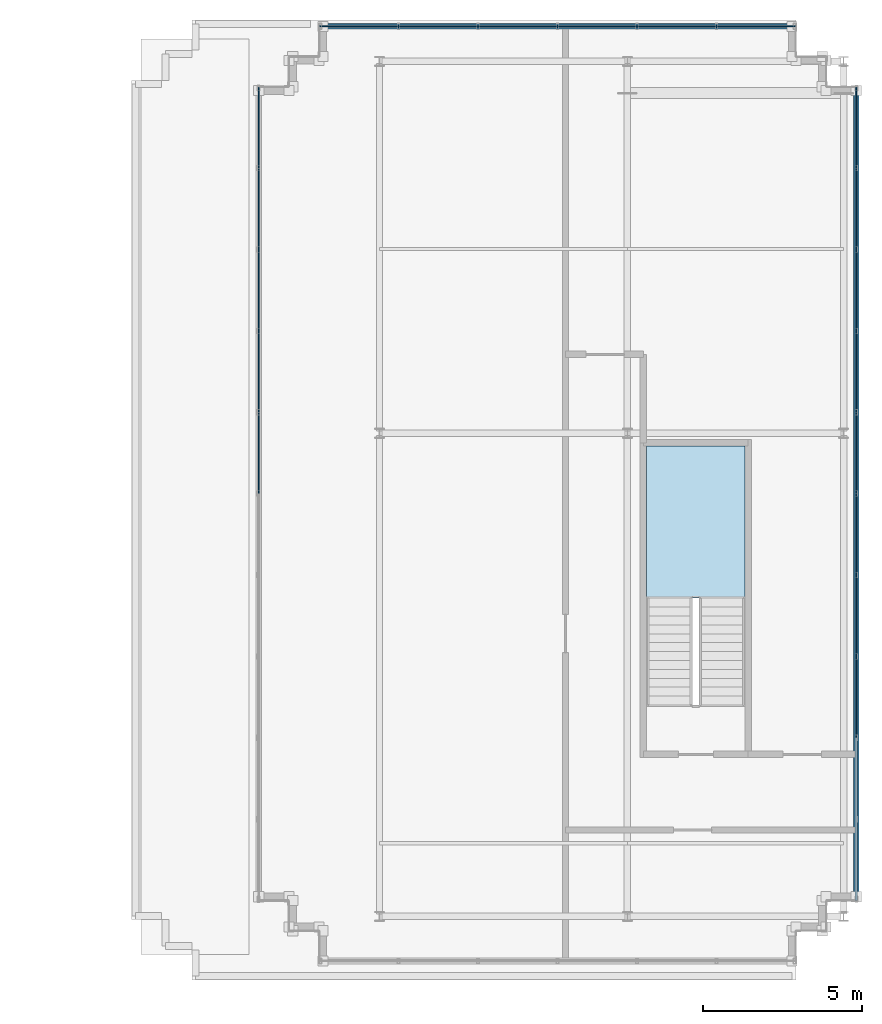
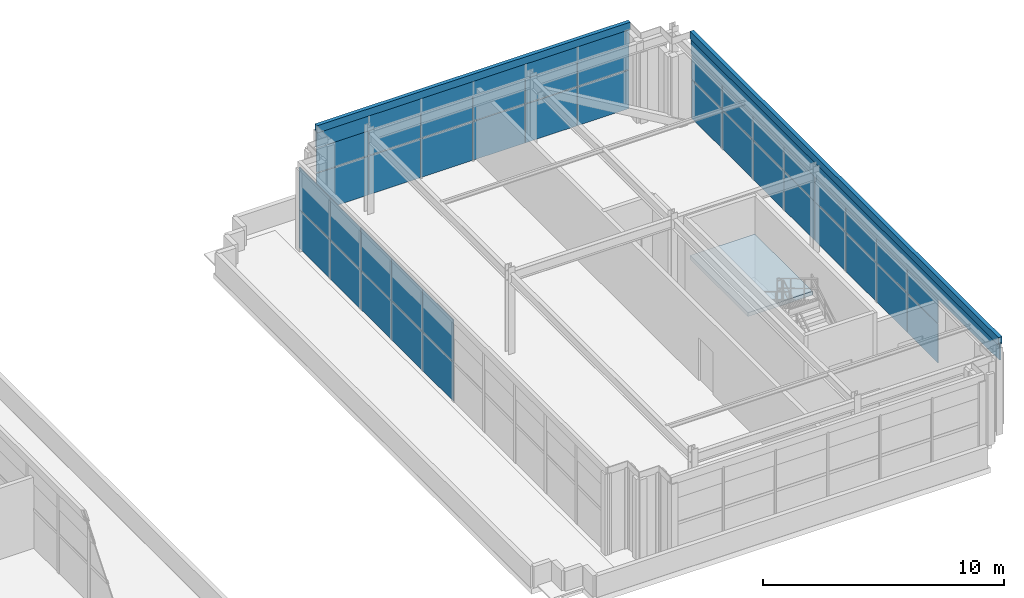
# One storey, part 22 of 28: 42 plates, 1 slab, 4 elements without a shape of their own.
"""IFC4 building model written with IfcOpenShell, lengths in metres."""

import ifcopenshell
import ifcopenshell.guid

model = None  # the IFC model being written
_history = None  # IfcOwnerHistory: only IFC2X3 demands one
_inside = {}  # id of a spatial element -> (the spatial element, [elements in it])
_under = {}  # id of a project, library or spatial element -> (it, [spatial elements below it])
_declared = {}  # id of a project -> (the project, [libraries it declares])
_typed = {}  # id of a type object -> (the type object, [elements of that type])
_made_of = {}  # id of a material, layer set ... -> (it, [elements and type objects made of it])


def new_model(schema):
    """Start an empty IFC model of exactly this schema.

    Asked for "IFC4X3", IfcOpenShell would pick the latest addendum, in which some entities
    have other attributes; the version numbers below select the first issue.
    IFC2X3 requires an IfcOwnerHistory on every rooted entity: one is made here for all.
    """
    global model, _history
    if schema == "IFC4X3":
        model = ifcopenshell.file(schema_version=(4, 3, 0, 0))
    else:
        model = ifcopenshell.file(schema=schema)
    _inside.clear()
    _under.clear()
    _declared.clear()
    _typed.clear()
    _made_of.clear()
    _history = None
    if model.schema == "IFC2X3":
        org = make("IfcOrganization", Name="unknown")
        user = make(
            "IfcPersonAndOrganization",
            ThePerson=make("IfcPerson", FamilyName="unknown"),
            TheOrganization=org,
        )
        app = make(
            "IfcApplication",
            ApplicationDeveloper=org,
            Version="unknown",
            ApplicationFullName="unknown",
            ApplicationIdentifier="unknown",
        )
        _history = make(
            "IfcOwnerHistory",
            OwningUser=user,
            OwningApplication=app,
            ChangeAction="ADDED",
            CreationDate=0,
        )
    return model


def make(cls, **values):
    """One entity of the class cls with the attributes given. An attribute that is None is left unset."""
    return model.create_entity(
        cls, **{name: value for name, value in values.items() if value is not None}
    )


def rooted(cls, **values):
    """An entity with a GlobalId (a new one), such as an element, a storey or a relation."""
    return make(cls, GlobalId=ifcopenshell.guid.new(), OwnerHistory=_history, **values)


def si_unit(unit_type, name, prefix=None):
    """IfcSIUnit, for example si_unit("LENGTHUNIT", "METRE", prefix="MILLI")."""
    return make("IfcSIUnit", UnitType=unit_type, Prefix=prefix, Name=name)


def assignment(units):
    """IfcUnitAssignment: the units of a project."""
    return None if units is None else make("IfcUnitAssignment", Units=units)


def point(xyz):
    """IfcCartesianPoint."""
    return None if xyz is None else make("IfcCartesianPoint", Coordinates=xyz)


def direction(xyz):
    """IfcDirection."""
    return None if xyz is None else make("IfcDirection", DirectionRatios=xyz)


def frame(location, z_axis=None, x_axis=None):
    """IfcAxis2Placement3D, a coordinate frame: its origin and axes. An axis left out is left unset."""
    return make(
        "IfcAxis2Placement3D",
        Location=point(location),
        Axis=direction(z_axis),
        RefDirection=direction(x_axis),
    )


def frame_2d(location, x_axis=None):
    """IfcAxis2Placement2D, a coordinate frame in the plane: its origin and x axis."""
    return make(
        "IfcAxis2Placement2D", Location=point(location), RefDirection=direction(x_axis)
    )


def origin():
    """The frame at (0, 0, 0) with its axes left unset."""
    return frame((0.0, 0.0, 0.0))


def origin_2d():
    """The frame at (0, 0) in the plane with its x axis left unset."""
    return frame_2d((0.0, 0.0))


def place(relative_to, where):
    """IfcLocalPlacement: puts the frame where relative to a parent placement (None: the world)."""
    return make(
        "IfcLocalPlacement", PlacementRelTo=relative_to, RelativePlacement=where
    )


def context(
    kind, dimensions, precision=None, world=None, true_north=None, identifier=None
):
    """IfcGeometricRepresentationContext, for example the 3D "Model" context."""
    return make(
        "IfcGeometricRepresentationContext",
        ContextIdentifier=identifier,
        ContextType=kind,
        CoordinateSpaceDimension=dimensions,
        Precision=precision,
        WorldCoordinateSystem=world,
        TrueNorth=true_north,
    )


def subcontext(parent, identifier, kind, view, scale=None):
    """IfcGeometricRepresentationSubContext, for example "Body" below "Model"."""
    return make(
        "IfcGeometricRepresentationSubContext",
        ContextIdentifier=identifier,
        ContextType=kind,
        ParentContext=parent,
        TargetScale=scale,
        TargetView=view,
    )


def project(units=None, contexts=None):
    """IfcProject with its units and contexts."""
    return rooted(
        "IfcProject",
        Name="project",
        RepresentationContexts=contexts,
        UnitsInContext=assignment(units),
    )


def spatial(cls, under=None, at=None, **own):
    """A site, building, storey or space (cls), placed at a placement, below another one or the project."""
    s = rooted(cls, ObjectPlacement=at, **own)
    if under is not None:
        _under.setdefault(under.id(), (under, []))[1].append(s)
    return s


def polyline(points):
    """IfcPolyline through the points."""
    return make("IfcPolyline", Points=[point(p) for p in points])


def profile(cls, at=None, kind="AREA", **sizes):
    """A parametric profile (cls). Its sizes go by their IFC names, for example OverallWidth=200.0."""
    return make(cls, ProfileType=kind, Position=at, **sizes)


def rectangle(**sizes):
    """IfcRectangleProfileDef."""
    return profile("IfcRectangleProfileDef", **sizes)


def outline(outer, holes=None, kind="AREA"):
    """IfcArbitraryClosedProfileDef: a profile drawn as a closed curve; with holes, ...WithVoids."""
    if holes is None:
        return make("IfcArbitraryClosedProfileDef", ProfileType=kind, OuterCurve=outer)
    return make(
        "IfcArbitraryProfileDefWithVoids",
        ProfileType=kind,
        OuterCurve=outer,
        InnerCurves=holes,
    )


def extrude(swept, where, along, depth):
    """IfcExtrudedAreaSolid: the profile swept, set in the frame where, extruded along a direction by depth."""
    return make(
        "IfcExtrudedAreaSolid",
        SweptArea=swept,
        Position=where,
        ExtrudedDirection=direction(along),
        Depth=depth,
    )


def shape(context_of_items, identifier, shape_type, items):
    """IfcShapeRepresentation: the items that make up one representation, for example the "Body"."""
    return make(
        "IfcShapeRepresentation",
        ContextOfItems=context_of_items,
        RepresentationIdentifier=identifier,
        RepresentationType=shape_type,
        Items=items,
    )


def source(mapping_origin, context_of_items, identifier, shape_type, items):
    """IfcRepresentationMap: a shape defined once, which mapped items show again and again."""
    return make(
        "IfcRepresentationMap",
        MappingOrigin=mapping_origin,
        MappedRepresentation=shape(context_of_items, identifier, shape_type, items),
    )


def transform(
    local_origin,
    x_axis=None,
    y_axis=None,
    z_axis=None,
    scale=None,
    scale2=None,
    scale3=None,
    uniform=True,
):
    """IfcCartesianTransformationOperator3D, or its non-uniform kind. x_axis, y_axis, z_axis: its Axis1, 2, 3."""
    if uniform:
        return make(
            "IfcCartesianTransformationOperator3D",
            Axis1=direction(x_axis),
            Axis2=direction(y_axis),
            LocalOrigin=point(local_origin),
            Scale=scale,
            Axis3=direction(z_axis),
        )
    return make(
        "IfcCartesianTransformationOperator3DnonUniform",
        Axis1=direction(x_axis),
        Axis2=direction(y_axis),
        LocalOrigin=point(local_origin),
        Scale=scale,
        Axis3=direction(z_axis),
        Scale2=scale2,
        Scale3=scale3,
    )


def mapped(mapping_source, mapping_target):
    """IfcMappedItem: shows the shape of a source again, moved by a transform."""
    return make(
        "IfcMappedItem", MappingSource=mapping_source, MappingTarget=mapping_target
    )


def material(Name=None, Category=None):
    """IfcMaterial."""
    return make("IfcMaterial", Name=Name, Category=Category)


def layer(
    of_material, thickness, ventilated=None, Name=None, Category=None, Priority=None
):
    """IfcMaterialLayer: one layer of a wall or slab, of a material (None: an air gap)."""
    return make(
        "IfcMaterialLayer",
        Material=of_material,
        LayerThickness=thickness,
        IsVentilated=ventilated,
        Name=Name,
        Category=Category,
        Priority=Priority,
    )


def layer_set(layers, Name=None):
    """IfcMaterialLayerSet."""
    return make("IfcMaterialLayerSet", MaterialLayers=layers, LayerSetName=Name)


def made_of(thing, what):
    """Note that an element or type object is made of a material, layer set ...; save() writes the relation."""
    if what is not None:
        _made_of.setdefault(what.id(), (what, []))[1].append(thing)
    return thing


def type_object(cls, material=None, **own):
    """A type object (cls), such as IfcWallType, which elements share."""
    return made_of(rooted(cls, **own), material)


def element(
    cls,
    number,
    at=None,
    inside=None,
    cuts=None,
    type_object=None,
    material=None,
    context=None,
    identifier="Body",
    shape_type=None,
    held_by="IfcProductDefinitionShape",
    body=None,
    shapes=None,
    **own,
):
    """One element of the class cls, such as IfcWall. Its Tag is "e" and its number.

    at: its placement. inside: the storey or other place that contains it. cuts: it is an
    opening in that element (IfcRelVoidsElement). A single representation is given by context,
    identifier, shape_type and body (its items); several are given by shapes. held_by: the class
    of the entity that holds the representations. save() writes the other relations.
    """
    e = rooted(cls, Tag="e%d" % number, ObjectPlacement=at, **own)
    if body is not None:
        shapes = [shape(context, identifier, shape_type, body)]
    if shapes is not None:
        e.Representation = make(held_by, Representations=shapes)
    if inside is not None:
        _inside.setdefault(inside.id(), (inside, []))[1].append(e)
    if cuts is not None:
        rooted(
            "IfcRelVoidsElement", RelatingBuildingElement=cuts, RelatedOpeningElement=e
        )
    if type_object is not None:
        _typed.setdefault(type_object.id(), (type_object, []))[1].append(e)
    return made_of(e, material)


def aggregate(whole, parts):
    """IfcRelAggregates: a whole, such as a stair, and the parts it consists of."""
    return rooted("IfcRelAggregates", RelatingObject=whole, RelatedObjects=parts)


def save(model, path):
    """Write the relations noted so far, then the file.

    IfcRelAggregates (storeys below a building ...), IfcRelContainedInSpatialStructure (elements
    in a storey), IfcRelDefinesByType, IfcRelAssociatesMaterial and IfcRelDeclares: one each for
    every whole, place, type object, material and project.
    """
    for whole, parts in _under.values():
        aggregate(whole, parts)
    for where, things in _inside.values():
        rooted(
            "IfcRelContainedInSpatialStructure",
            RelatedElements=things,
            RelatingStructure=where,
        )
    for kind, things in _typed.values():
        rooted("IfcRelDefinesByType", RelatedObjects=things, RelatingType=kind)
    for what, things in _made_of.values():
        rooted("IfcRelAssociatesMaterial", RelatedObjects=things, RelatingMaterial=what)
    for by, libraries in _declared.values():
        rooted("IfcRelDeclares", RelatingContext=by, RelatedDefinitions=libraries)
    model.write(path)


model = new_model("IFC4")

# Units and contexts
model_context = context("Model", 3, precision=1e-05, world=origin(), true_north=direction((0.0, 1.0)))
body_context = subcontext(model_context, "Body", "Model", "MODEL_VIEW")
ifc_project = project(units=[si_unit("LENGTHUNIT", "METRE"), si_unit("AREAUNIT", "SQUARE_METRE"), si_unit("VOLUMEUNIT", "CUBIC_METRE"), si_unit("PLANEANGLEUNIT", "RADIAN"), si_unit("MASSUNIT", "GRAM", prefix="KILO")], contexts=[model_context])

# Site, building, storey
site_placement = place(None, origin())
site = spatial("IfcSite", under=ifc_project, at=site_placement, CompositionType="ELEMENT")
building_placement = place(site_placement, origin())
building = spatial("IfcBuilding", under=site, at=building_placement, Name="Trelvane Seafront Commons", CompositionType="ELEMENT")
storey_placement = place(building_placement, frame((0.0, 0.0, 312.300048828125)))
storey = spatial("IfcBuildingStorey", under=building, at=storey_placement, Name="L81", CompositionType="ELEMENT", Elevation=312.300048828125)

# Stair, slab
ifc_material_1 = material(Name="Concrete C40/50", Category="concrete")
stair_type = type_object("IfcStairType", Name="ARCH-STR-ST-6-R26-169", PredefinedType="HALF_TURN_STAIR", material=ifc_material_1)
stair_placement = place(storey_placement, origin())
stair = element("IfcStair", 1, at=stair_placement, inside=storey, type_object=stair_type, Name="L81 Crown East Peak Enclosed Maintenance Exit Stair ST-6", PredefinedType="HALF_TURN_STAIR")
ifc_layer_1 = layer(ifc_material_1, 0.199951171875, Name="ARCH-LND-200")
ifc_layer_set_1 = layer_set([ifc_layer_1], Name="Concrete C40/50")
slab_type = type_object("IfcSlabType", Name="ARCH-LND-200", PredefinedType="LANDING", material=ifc_layer_set_1)
slab_placement = place(storey_placement, frame((0.0, 0.0, 2.0)))
slab = element("IfcSlab", 2, at=slab_placement, type_object=slab_type, Name="ST-6 landing 1", PredefinedType="LANDING", context=body_context, shape_type="SweptSolid", body=[
    extrude(outline(polyline([(62.5, 28.2099609375), (62.5, 33.0), (59.39990234375, 33.0), (59.39990234375, 28.2099609375), (62.5, 28.2099609375)])), origin(), (0.0, 0.0, 1.0), 0.199951171875),
])
aggregate(stair, [slab])

# Curtain wall, plates
ifc_material_2 = material(Name="Anodised pale-silver aluminium", Category="aluminium")
curtain_wall_type = type_object("IfcCurtainWallType", Name="ARCH-CW6-CROWN", PredefinedType="NOTDEFINED", material=ifc_material_2)
curtain_wall_1_placement = place(storey_placement, origin())
curtain_wall_1 = element("IfcCurtainWall", 3, at=curtain_wall_1_placement, inside=storey, type_object=curtain_wall_type, Name="CW-L81-0148", PredefinedType="NOTDEFINED")
ifc_material_3 = material(Name="Low-E coastal double glazing", Category="glass")
ifc_layer_2 = layer(ifc_material_3, 0.033935546875, Name="ARCH-CW-GLAZ-34")
ifc_layer_set_2 = layer_set([ifc_layer_2], Name="Low-E coastal double glazing")
plate_type_1 = type_object("IfcPlateType", Name="ARCH-CW-GLAZ-34", PredefinedType="CURTAIN_PANEL", material=ifc_layer_set_2)
shared_shape_1 = source(origin(), body_context, "Body", "SweptSolid", [
    extrude(rectangle(XDim=2.535888671875, YDim=0.031982421875, at=origin_2d()), origin(), (0.0, 0.0, 1.0), 1.955078125),
])
plate_1_placement = place(storey_placement, frame((47.199951171875, 32.780029296875, 0.0), z_axis=(0.0, 0.0, 1.0), x_axis=(0.0, 1.0, 0.0)))
plate_1 = element("IfcPlate", 4, at=plate_1_placement, type_object=plate_type_1, Name="CW-L81-0148-P05-1", PredefinedType="CURTAIN_PANEL", context=body_context, shape_type="MappedRepresentation", body=[
    mapped(shared_shape_1, transform((0.0, 0.0, 0.0), x_axis=(1.0, 0.0, 0.0), y_axis=(0.0, 1.0, 0.0), z_axis=(0.0, 0.0, 1.0), scale=1.0)),
])
plate_2_placement = place(storey_placement, frame((47.199951171875, 35.340087890625, 0.0), z_axis=(0.0, 0.0, 1.0), x_axis=(0.0, 1.0, 0.0)))
plate_2 = element("IfcPlate", 5, at=plate_2_placement, type_object=plate_type_1, Name="CW-L81-0148-P06-1", PredefinedType="CURTAIN_PANEL", context=body_context, shape_type="MappedRepresentation", body=[
    mapped(shared_shape_1, transform((0.0, 0.0, 0.0), x_axis=(1.0, 0.0, 0.0), y_axis=(0.0, 1.0, 0.0), z_axis=(0.0, 0.0, 1.0), scale=1.0)),
])
plate_3_placement = place(storey_placement, frame((47.199951171875, 37.89990234375, 0.0), z_axis=(0.0, 0.0, 1.0), x_axis=(0.0, 1.0, 0.0)))
plate_3 = element("IfcPlate", 6, at=plate_3_placement, type_object=plate_type_1, Name="CW-L81-0148-P07-1", PredefinedType="CURTAIN_PANEL", context=body_context, shape_type="MappedRepresentation", body=[
    mapped(shared_shape_1, transform((0.0, 0.0, 0.0), x_axis=(1.0, 0.0, 0.0), y_axis=(0.0, 1.0, 0.0), z_axis=(0.0, 0.0, 1.0), scale=1.0)),
])
plate_4_placement = place(storey_placement, frame((47.199951171875, 40.4599609375, 0.0), z_axis=(0.0, 0.0, 1.0), x_axis=(0.0, 1.0, 0.0)))
plate_4 = element("IfcPlate", 7, at=plate_4_placement, type_object=plate_type_1, Name="CW-L81-0148-P08-1", PredefinedType="CURTAIN_PANEL", context=body_context, shape_type="MappedRepresentation", body=[
    mapped(shared_shape_1, transform((0.0, 0.0, 0.0), x_axis=(1.0, 0.0, 0.0), y_axis=(0.0, 1.0, 0.0), z_axis=(0.0, 0.0, 1.0), scale=1.0)),
])
plate_5_placement = place(storey_placement, frame((47.199951171875, 43.02001953125, 0.0), z_axis=(0.0, 0.0, 1.0), x_axis=(0.0, 1.0, 0.0)))
plate_5 = element("IfcPlate", 8, at=plate_5_placement, type_object=plate_type_1, Name="CW-L81-0148-P09-1", PredefinedType="CURTAIN_PANEL", context=body_context, shape_type="MappedRepresentation", body=[
    mapped(shared_shape_1, transform((0.0, 0.0, 0.0), x_axis=(1.0, 0.0, 0.0), y_axis=(0.0, 1.0, 0.0), z_axis=(0.0, 0.0, 1.0), scale=1.0)),
])

curtain_wall_2_placement = place(storey_placement, origin())
curtain_wall_2 = element("IfcCurtainWall", 9, at=curtain_wall_2_placement, inside=storey, type_object=curtain_wall_type, Name="CW-L81-0150", PredefinedType="NOTDEFINED")
plate_6_placement = place(storey_placement, frame((66.0, 43.02001953125, 0.0), z_axis=(0.0, 0.0, 1.0), x_axis=(0.0, -1.0, 0.0)))
plate_6 = element("IfcPlate", 10, at=plate_6_placement, type_object=plate_type_1, Name="CW-L81-0150-P00-1", PredefinedType="CURTAIN_PANEL", context=body_context, shape_type="MappedRepresentation", body=[
    mapped(shared_shape_1, transform((0.0, 0.0, 0.0), x_axis=(1.0, 0.0, 0.0), y_axis=(0.0, 1.0, 0.0), z_axis=(0.0, 0.0, 1.0), scale=1.0)),
])
plate_7_placement = place(storey_placement, frame((66.0, 40.4599609375, 0.0), z_axis=(0.0, 0.0, 1.0), x_axis=(0.0, -1.0, 0.0)))
plate_7 = element("IfcPlate", 11, at=plate_7_placement, type_object=plate_type_1, Name="CW-L81-0150-P01-1", PredefinedType="CURTAIN_PANEL", context=body_context, shape_type="MappedRepresentation", body=[
    mapped(shared_shape_1, transform((0.0, 0.0, 0.0), x_axis=(1.0, 0.0, 0.0), y_axis=(0.0, 1.0, 0.0), z_axis=(0.0, 0.0, 1.0), scale=1.0)),
])
plate_8_placement = place(storey_placement, frame((66.0, 37.89990234375, 0.0), z_axis=(0.0, 0.0, 1.0), x_axis=(0.0, -1.0, 0.0)))
plate_8 = element("IfcPlate", 12, at=plate_8_placement, type_object=plate_type_1, Name="CW-L81-0150-P02-1", PredefinedType="CURTAIN_PANEL", context=body_context, shape_type="MappedRepresentation", body=[
    mapped(shared_shape_1, transform((0.0, 0.0, 0.0), x_axis=(1.0, 0.0, 0.0), y_axis=(0.0, 1.0, 0.0), z_axis=(0.0, 0.0, 1.0), scale=1.0)),
])
plate_9_placement = place(storey_placement, frame((66.0, 35.340087890625, 0.0), z_axis=(0.0, 0.0, 1.0), x_axis=(0.0, -1.0, 0.0)))
plate_9 = element("IfcPlate", 13, at=plate_9_placement, type_object=plate_type_1, Name="CW-L81-0150-P03-1", PredefinedType="CURTAIN_PANEL", context=body_context, shape_type="MappedRepresentation", body=[
    mapped(shared_shape_1, transform((0.0, 0.0, 0.0), x_axis=(1.0, 0.0, 0.0), y_axis=(0.0, 1.0, 0.0), z_axis=(0.0, 0.0, 1.0), scale=1.0)),
])
plate_10_placement = place(storey_placement, frame((66.0, 32.780029296875, 0.0), z_axis=(0.0, 0.0, 1.0), x_axis=(0.0, -1.0, 0.0)))
plate_10 = element("IfcPlate", 14, at=plate_10_placement, type_object=plate_type_1, Name="CW-L81-0150-P04-1", PredefinedType="CURTAIN_PANEL", context=body_context, shape_type="MappedRepresentation", body=[
    mapped(shared_shape_1, transform((0.0, 0.0, 0.0), x_axis=(1.0, 0.0, 0.0), y_axis=(0.0, 1.0, 0.0), z_axis=(0.0, 0.0, 1.0), scale=1.0)),
])
plate_11_placement = place(storey_placement, frame((66.0, 30.219970703125, 0.0), z_axis=(0.0, 0.0, 1.0), x_axis=(0.0, -1.0, 0.0)))
plate_11 = element("IfcPlate", 15, at=plate_11_placement, type_object=plate_type_1, Name="CW-L81-0150-P05-1", PredefinedType="CURTAIN_PANEL", context=body_context, shape_type="MappedRepresentation", body=[
    mapped(shared_shape_1, transform((0.0, 0.0, 0.0), x_axis=(1.0, 0.0, 0.0), y_axis=(0.0, 1.0, 0.0), z_axis=(0.0, 0.0, 1.0), scale=1.0)),
])
plate_12_placement = place(storey_placement, frame((66.0, 27.659912109375, 0.0), z_axis=(0.0, 0.0, 1.0), x_axis=(0.0, -1.0, 0.0)))
plate_12 = element("IfcPlate", 16, at=plate_12_placement, type_object=plate_type_1, Name="CW-L81-0150-P06-1", PredefinedType="CURTAIN_PANEL", context=body_context, shape_type="MappedRepresentation", body=[
    mapped(shared_shape_1, transform((0.0, 0.0, 0.0), x_axis=(1.0, 0.0, 0.0), y_axis=(0.0, 1.0, 0.0), z_axis=(0.0, 0.0, 1.0), scale=1.0)),
])
plate_13_placement = place(storey_placement, frame((66.0, 25.10009765625, 0.0), z_axis=(0.0, 0.0, 1.0), x_axis=(0.0, -1.0, 0.0)))
plate_13 = element("IfcPlate", 17, at=plate_13_placement, type_object=plate_type_1, Name="CW-L81-0150-P07-1", PredefinedType="CURTAIN_PANEL", context=body_context, shape_type="MappedRepresentation", body=[
    mapped(shared_shape_1, transform((0.0, 0.0, 0.0), x_axis=(1.0, 0.0, 0.0), y_axis=(0.0, 1.0, 0.0), z_axis=(0.0, 0.0, 1.0), scale=1.0)),
])

# Plate
shared_shape_2 = source(origin(), body_context, "Body", "SweptSolid", [
    extrude(rectangle(XDim=2.535888671875, YDim=0.031982421875, at=origin_2d()), origin(), (0.0, 0.0, 1.0), 2.118896484375),
])
plate_14_placement = place(storey_placement, frame((47.199951171875, 32.780029296875, 1.9912109375), z_axis=(0.0, 0.0, 1.0), x_axis=(0.0, 1.0, 0.0)))
plate_14 = element("IfcPlate", 18, at=plate_14_placement, type_object=plate_type_1, Name="CW-L81-0148-P05-2", PredefinedType="CURTAIN_PANEL", context=body_context, shape_type="MappedRepresentation", body=[
    mapped(shared_shape_2, transform((0.0, 0.0, 0.0), x_axis=(1.0, 0.0, 0.0), y_axis=(0.0, 1.0, 0.0), z_axis=(0.0, 0.0, 1.0), scale=1.0)),
])

plate_15_placement = place(storey_placement, frame((47.199951171875, 35.340087890625, 1.9912109375), z_axis=(0.0, 0.0, 1.0), x_axis=(0.0, 1.0, 0.0)))
plate_15 = element("IfcPlate", 19, at=plate_15_placement, type_object=plate_type_1, Name="CW-L81-0148-P06-2", PredefinedType="CURTAIN_PANEL", context=body_context, shape_type="MappedRepresentation", body=[
    mapped(shared_shape_2, transform((0.0, 0.0, 0.0), x_axis=(1.0, 0.0, 0.0), y_axis=(0.0, 1.0, 0.0), z_axis=(0.0, 0.0, 1.0), scale=1.0)),
])

plate_16_placement = place(storey_placement, frame((47.199951171875, 37.89990234375, 1.9912109375), z_axis=(0.0, 0.0, 1.0), x_axis=(0.0, 1.0, 0.0)))
plate_16 = element("IfcPlate", 20, at=plate_16_placement, type_object=plate_type_1, Name="CW-L81-0148-P07-2", PredefinedType="CURTAIN_PANEL", context=body_context, shape_type="MappedRepresentation", body=[
    mapped(shared_shape_2, transform((0.0, 0.0, 0.0), x_axis=(1.0, 0.0, 0.0), y_axis=(0.0, 1.0, 0.0), z_axis=(0.0, 0.0, 1.0), scale=1.0)),
])

plate_17_placement = place(storey_placement, frame((47.199951171875, 40.4599609375, 1.9912109375), z_axis=(0.0, 0.0, 1.0), x_axis=(0.0, 1.0, 0.0)))
plate_17 = element("IfcPlate", 21, at=plate_17_placement, type_object=plate_type_1, Name="CW-L81-0148-P08-2", PredefinedType="CURTAIN_PANEL", context=body_context, shape_type="MappedRepresentation", body=[
    mapped(shared_shape_2, transform((0.0, 0.0, 0.0), x_axis=(1.0, 0.0, 0.0), y_axis=(0.0, 1.0, 0.0), z_axis=(0.0, 0.0, 1.0), scale=1.0)),
])

plate_18_placement = place(storey_placement, frame((47.199951171875, 43.02001953125, 1.9912109375), z_axis=(0.0, 0.0, 1.0), x_axis=(0.0, 1.0, 0.0)))
plate_18 = element("IfcPlate", 22, at=plate_18_placement, type_object=plate_type_1, Name="CW-L81-0148-P09-2", PredefinedType="CURTAIN_PANEL", context=body_context, shape_type="MappedRepresentation", body=[
    mapped(shared_shape_2, transform((0.0, 0.0, 0.0), x_axis=(1.0, 0.0, 0.0), y_axis=(0.0, 1.0, 0.0), z_axis=(0.0, 0.0, 1.0), scale=1.0)),
])

aggregate(curtain_wall_1, [plate_1, plate_14, plate_2, plate_15, plate_3, plate_16, plate_4, plate_17, plate_5, plate_18])

plate_19_placement = place(storey_placement, frame((66.0, 43.02001953125, 1.9912109375), z_axis=(0.0, 0.0, 1.0), x_axis=(0.0, -1.0, 0.0)))
plate_19 = element("IfcPlate", 23, at=plate_19_placement, type_object=plate_type_1, Name="CW-L81-0150-P00-2", PredefinedType="CURTAIN_PANEL", context=body_context, shape_type="MappedRepresentation", body=[
    mapped(shared_shape_2, transform((0.0, 0.0, 0.0), x_axis=(1.0, 0.0, 0.0), y_axis=(0.0, 1.0, 0.0), z_axis=(0.0, 0.0, 1.0), scale=1.0)),
])

plate_20_placement = place(storey_placement, frame((66.0, 40.4599609375, 1.9912109375), z_axis=(0.0, 0.0, 1.0), x_axis=(0.0, -1.0, 0.0)))
plate_20 = element("IfcPlate", 24, at=plate_20_placement, type_object=plate_type_1, Name="CW-L81-0150-P01-2", PredefinedType="CURTAIN_PANEL", context=body_context, shape_type="MappedRepresentation", body=[
    mapped(shared_shape_2, transform((0.0, 0.0, 0.0), x_axis=(1.0, 0.0, 0.0), y_axis=(0.0, 1.0, 0.0), z_axis=(0.0, 0.0, 1.0), scale=1.0)),
])

plate_21_placement = place(storey_placement, frame((66.0, 37.89990234375, 1.9912109375), z_axis=(0.0, 0.0, 1.0), x_axis=(0.0, -1.0, 0.0)))
plate_21 = element("IfcPlate", 25, at=plate_21_placement, type_object=plate_type_1, Name="CW-L81-0150-P02-2", PredefinedType="CURTAIN_PANEL", context=body_context, shape_type="MappedRepresentation", body=[
    mapped(shared_shape_2, transform((0.0, 0.0, 0.0), x_axis=(1.0, 0.0, 0.0), y_axis=(0.0, 1.0, 0.0), z_axis=(0.0, 0.0, 1.0), scale=1.0)),
])

plate_22_placement = place(storey_placement, frame((66.0, 35.340087890625, 1.9912109375), z_axis=(0.0, 0.0, 1.0), x_axis=(0.0, -1.0, 0.0)))
plate_22 = element("IfcPlate", 26, at=plate_22_placement, type_object=plate_type_1, Name="CW-L81-0150-P03-2", PredefinedType="CURTAIN_PANEL", context=body_context, shape_type="MappedRepresentation", body=[
    mapped(shared_shape_2, transform((0.0, 0.0, 0.0), x_axis=(1.0, 0.0, 0.0), y_axis=(0.0, 1.0, 0.0), z_axis=(0.0, 0.0, 1.0), scale=1.0)),
])

plate_23_placement = place(storey_placement, frame((66.0, 32.780029296875, 1.9912109375), z_axis=(0.0, 0.0, 1.0), x_axis=(0.0, -1.0, 0.0)))
plate_23 = element("IfcPlate", 27, at=plate_23_placement, type_object=plate_type_1, Name="CW-L81-0150-P04-2", PredefinedType="CURTAIN_PANEL", context=body_context, shape_type="MappedRepresentation", body=[
    mapped(shared_shape_2, transform((0.0, 0.0, 0.0), x_axis=(1.0, 0.0, 0.0), y_axis=(0.0, 1.0, 0.0), z_axis=(0.0, 0.0, 1.0), scale=1.0)),
])

plate_24_placement = place(storey_placement, frame((66.0, 30.219970703125, 1.9912109375), z_axis=(0.0, 0.0, 1.0), x_axis=(0.0, -1.0, 0.0)))
plate_24 = element("IfcPlate", 28, at=plate_24_placement, type_object=plate_type_1, Name="CW-L81-0150-P05-2", PredefinedType="CURTAIN_PANEL", context=body_context, shape_type="MappedRepresentation", body=[
    mapped(shared_shape_2, transform((0.0, 0.0, 0.0), x_axis=(1.0, 0.0, 0.0), y_axis=(0.0, 1.0, 0.0), z_axis=(0.0, 0.0, 1.0), scale=1.0)),
])

plate_25_placement = place(storey_placement, frame((66.0, 27.659912109375, 1.9912109375), z_axis=(0.0, 0.0, 1.0), x_axis=(0.0, -1.0, 0.0)))
plate_25 = element("IfcPlate", 29, at=plate_25_placement, type_object=plate_type_1, Name="CW-L81-0150-P06-2", PredefinedType="CURTAIN_PANEL", context=body_context, shape_type="MappedRepresentation", body=[
    mapped(shared_shape_2, transform((0.0, 0.0, 0.0), x_axis=(1.0, 0.0, 0.0), y_axis=(0.0, 1.0, 0.0), z_axis=(0.0, 0.0, 1.0), scale=1.0)),
])

plate_26_placement = place(storey_placement, frame((66.0, 25.10009765625, 1.9912109375), z_axis=(0.0, 0.0, 1.0), x_axis=(0.0, -1.0, 0.0)))
plate_26 = element("IfcPlate", 30, at=plate_26_placement, type_object=plate_type_1, Name="CW-L81-0150-P07-2", PredefinedType="CURTAIN_PANEL", context=body_context, shape_type="MappedRepresentation", body=[
    mapped(shared_shape_2, transform((0.0, 0.0, 0.0), x_axis=(1.0, 0.0, 0.0), y_axis=(0.0, 1.0, 0.0), z_axis=(0.0, 0.0, 1.0), scale=1.0)),
])

aggregate(curtain_wall_2, [plate_6, plate_19, plate_7, plate_20, plate_8, plate_21, plate_9, plate_22, plate_10, plate_23, plate_11, plate_24, plate_12, plate_25, plate_13, plate_26])

# Plates
ifc_layer_3 = layer(ifc_material_2, 0.080078125, Name="ARCH-PLATE-LOUVRE")
ifc_layer_set_3 = layer_set([ifc_layer_3], Name="Anodised pale-silver aluminium")
plate_type_2 = type_object("IfcPlateType", Name="ARCH-PLATE-LOUVRE", PredefinedType="USERDEFINED", material=ifc_layer_set_3)
shared_shape_3 = source(origin(), body_context, "Body", "SweptSolid", [
    extrude(rectangle(XDim=25.60009765625, YDim=0.080078125, at=origin_2d()), origin(), (0.0, 0.0, 1.0), 0.889892578125),
])
plate_27_placement = place(storey_placement, frame((66.0, 31.5, 3.259765625), z_axis=(0.0, 0.0, 1.0), x_axis=(0.0, -1.0, 0.0)))
element("IfcPlate", 31, at=plate_27_placement, inside=storey, type_object=plate_type_2, Name="LOU-L81-039", ObjectType="LOUVRE", PredefinedType="USERDEFINED", context=body_context, shape_type="MappedRepresentation", body=[
    mapped(shared_shape_3, transform((0.0, 0.0, 0.0), x_axis=(1.0, 0.0, 0.0), y_axis=(0.0, 1.0, 0.0), z_axis=(0.0, 0.0, 1.0), scale=1.0)),
])
ifc_layer_4 = layer(ifc_material_2, 0.179931640625, Name="ARCH-PLATE-AERO")
ifc_layer_set_4 = layer_set([ifc_layer_4], Name="Anodised pale-silver aluminium")
plate_type_3 = type_object("IfcPlateType", Name="ARCH-PLATE-AERO", PredefinedType="SHEET", material=ifc_layer_set_4)
shared_shape_4 = source(origin(), body_context, "Body", "SweptSolid", [
    extrude(rectangle(XDim=25.60009765625, YDim=0.179931640625, at=origin_2d()), origin(), (0.0, 0.0, 1.0), 0.3701171875),
])
plate_28_placement = place(storey_placement, frame((66.0, 31.5, 4.0498046875), z_axis=(0.0, 0.0, 1.0), x_axis=(0.0, -1.0, 0.0)))
element("IfcPlate", 32, at=plate_28_placement, inside=storey, type_object=plate_type_3, Name="AER-L81-00296", PredefinedType="SHEET", context=body_context, shape_type="MappedRepresentation", body=[
    mapped(shared_shape_4, transform((0.0, 0.0, 0.0), x_axis=(1.0, 0.0, 0.0), y_axis=(0.0, 1.0, 0.0), z_axis=(0.0, 0.0, 1.0), scale=1.0)),
])

# Curtain wall, plates
curtain_wall_3_placement = place(storey_placement, origin())
curtain_wall_3 = element("IfcCurtainWall", 33, at=curtain_wall_3_placement, inside=storey, type_object=curtain_wall_type, Name="CW-L81-0149", PredefinedType="NOTDEFINED")
shared_shape_5 = source(origin(), body_context, "Body", "SweptSolid", [
    extrude(rectangle(XDim=2.47607421875, YDim=0.031982421875, at=origin_2d()), origin(), (0.0, 0.0, 1.0), 1.955078125),
])
plate_29_placement = place(storey_placement, frame((50.35009765625, 46.199951171875, 0.0), z_axis=(0.0, 0.0, 1.0), x_axis=(1.0, 0.0, 0.0)))
plate_29 = element("IfcPlate", 34, at=plate_29_placement, type_object=plate_type_1, Name="CW-L81-0149-P00-1", PredefinedType="CURTAIN_PANEL", context=body_context, shape_type="MappedRepresentation", body=[
    mapped(shared_shape_5, transform((0.0, 0.0, 0.0), x_axis=(1.0, 0.0, 0.0), y_axis=(0.0, 1.0, 0.0), z_axis=(0.0, 0.0, 1.0), scale=1.0)),
])
plate_30_placement = place(storey_placement, frame((52.85009765625, 46.199951171875, 0.0), z_axis=(0.0, 0.0, 1.0), x_axis=(1.0, 0.0, 0.0)))
plate_30 = element("IfcPlate", 35, at=plate_30_placement, type_object=plate_type_1, Name="CW-L81-0149-P01-1", PredefinedType="CURTAIN_PANEL", context=body_context, shape_type="MappedRepresentation", body=[
    mapped(shared_shape_5, transform((0.0, 0.0, 0.0), x_axis=(1.0, 0.0, 0.0), y_axis=(0.0, 1.0, 0.0), z_axis=(0.0, 0.0, 1.0), scale=1.0)),
])
plate_31_placement = place(storey_placement, frame((55.35009765625, 46.199951171875, 0.0), z_axis=(0.0, 0.0, 1.0), x_axis=(1.0, 0.0, 0.0)))
plate_31 = element("IfcPlate", 36, at=plate_31_placement, type_object=plate_type_1, Name="CW-L81-0149-P02-1", PredefinedType="CURTAIN_PANEL", context=body_context, shape_type="MappedRepresentation", body=[
    mapped(shared_shape_5, transform((0.0, 0.0, 0.0), x_axis=(1.0, 0.0, 0.0), y_axis=(0.0, 1.0, 0.0), z_axis=(0.0, 0.0, 1.0), scale=1.0)),
])
plate_32_placement = place(storey_placement, frame((57.85009765625, 46.199951171875, 0.0), z_axis=(0.0, 0.0, 1.0), x_axis=(1.0, 0.0, 0.0)))
plate_32 = element("IfcPlate", 37, at=plate_32_placement, type_object=plate_type_1, Name="CW-L81-0149-P03-1", PredefinedType="CURTAIN_PANEL", context=body_context, shape_type="MappedRepresentation", body=[
    mapped(shared_shape_5, transform((0.0, 0.0, 0.0), x_axis=(1.0, 0.0, 0.0), y_axis=(0.0, 1.0, 0.0), z_axis=(0.0, 0.0, 1.0), scale=1.0)),
])
plate_33_placement = place(storey_placement, frame((60.35009765625, 46.199951171875, 0.0), z_axis=(0.0, 0.0, 1.0), x_axis=(1.0, 0.0, 0.0)))
plate_33 = element("IfcPlate", 38, at=plate_33_placement, type_object=plate_type_1, Name="CW-L81-0149-P04-1", PredefinedType="CURTAIN_PANEL", context=body_context, shape_type="MappedRepresentation", body=[
    mapped(shared_shape_5, transform((0.0, 0.0, 0.0), x_axis=(1.0, 0.0, 0.0), y_axis=(0.0, 1.0, 0.0), z_axis=(0.0, 0.0, 1.0), scale=1.0)),
])
plate_34_placement = place(storey_placement, frame((62.85009765625, 46.199951171875, 0.0), z_axis=(0.0, 0.0, 1.0), x_axis=(1.0, 0.0, 0.0)))
plate_34 = element("IfcPlate", 39, at=plate_34_placement, type_object=plate_type_1, Name="CW-L81-0149-P05-1", PredefinedType="CURTAIN_PANEL", context=body_context, shape_type="MappedRepresentation", body=[
    mapped(shared_shape_5, transform((0.0, 0.0, 0.0), x_axis=(1.0, 0.0, 0.0), y_axis=(0.0, 1.0, 0.0), z_axis=(0.0, 0.0, 1.0), scale=1.0)),
])
shared_shape_6 = source(origin(), body_context, "Body", "SweptSolid", [
    extrude(rectangle(XDim=2.47607421875, YDim=0.031982421875, at=origin_2d()), origin(), (0.0, 0.0, 1.0), 2.118896484375),
])
plate_35_placement = place(storey_placement, frame((50.35009765625, 46.199951171875, 1.9912109375), z_axis=(0.0, 0.0, 1.0), x_axis=(1.0, 0.0, 0.0)))
plate_35 = element("IfcPlate", 40, at=plate_35_placement, type_object=plate_type_1, Name="CW-L81-0149-P00-2", PredefinedType="CURTAIN_PANEL", context=body_context, shape_type="MappedRepresentation", body=[
    mapped(shared_shape_6, transform((0.0, 0.0, 0.0), x_axis=(1.0, 0.0, 0.0), y_axis=(0.0, 1.0, 0.0), z_axis=(0.0, 0.0, 1.0), scale=1.0)),
])
plate_36_placement = place(storey_placement, frame((52.85009765625, 46.199951171875, 1.9912109375), z_axis=(0.0, 0.0, 1.0), x_axis=(1.0, 0.0, 0.0)))
plate_36 = element("IfcPlate", 41, at=plate_36_placement, type_object=plate_type_1, Name="CW-L81-0149-P01-2", PredefinedType="CURTAIN_PANEL", context=body_context, shape_type="MappedRepresentation", body=[
    mapped(shared_shape_6, transform((0.0, 0.0, 0.0), x_axis=(1.0, 0.0, 0.0), y_axis=(0.0, 1.0, 0.0), z_axis=(0.0, 0.0, 1.0), scale=1.0)),
])
plate_37_placement = place(storey_placement, frame((55.35009765625, 46.199951171875, 1.9912109375), z_axis=(0.0, 0.0, 1.0), x_axis=(1.0, 0.0, 0.0)))
plate_37 = element("IfcPlate", 42, at=plate_37_placement, type_object=plate_type_1, Name="CW-L81-0149-P02-2", PredefinedType="CURTAIN_PANEL", context=body_context, shape_type="MappedRepresentation", body=[
    mapped(shared_shape_6, transform((0.0, 0.0, 0.0), x_axis=(1.0, 0.0, 0.0), y_axis=(0.0, 1.0, 0.0), z_axis=(0.0, 0.0, 1.0), scale=1.0)),
])
plate_38_placement = place(storey_placement, frame((57.85009765625, 46.199951171875, 1.9912109375), z_axis=(0.0, 0.0, 1.0), x_axis=(1.0, 0.0, 0.0)))
plate_38 = element("IfcPlate", 43, at=plate_38_placement, type_object=plate_type_1, Name="CW-L81-0149-P03-2", PredefinedType="CURTAIN_PANEL", context=body_context, shape_type="MappedRepresentation", body=[
    mapped(shared_shape_6, transform((0.0, 0.0, 0.0), x_axis=(1.0, 0.0, 0.0), y_axis=(0.0, 1.0, 0.0), z_axis=(0.0, 0.0, 1.0), scale=1.0)),
])
plate_39_placement = place(storey_placement, frame((60.35009765625, 46.199951171875, 1.9912109375), z_axis=(0.0, 0.0, 1.0), x_axis=(1.0, 0.0, 0.0)))
plate_39 = element("IfcPlate", 44, at=plate_39_placement, type_object=plate_type_1, Name="CW-L81-0149-P04-2", PredefinedType="CURTAIN_PANEL", context=body_context, shape_type="MappedRepresentation", body=[
    mapped(shared_shape_6, transform((0.0, 0.0, 0.0), x_axis=(1.0, 0.0, 0.0), y_axis=(0.0, 1.0, 0.0), z_axis=(0.0, 0.0, 1.0), scale=1.0)),
])
plate_40_placement = place(storey_placement, frame((62.85009765625, 46.199951171875, 1.9912109375), z_axis=(0.0, 0.0, 1.0), x_axis=(1.0, 0.0, 0.0)))
plate_40 = element("IfcPlate", 45, at=plate_40_placement, type_object=plate_type_1, Name="CW-L81-0149-P05-2", PredefinedType="CURTAIN_PANEL", context=body_context, shape_type="MappedRepresentation", body=[
    mapped(shared_shape_6, transform((0.0, 0.0, 0.0), x_axis=(1.0, 0.0, 0.0), y_axis=(0.0, 1.0, 0.0), z_axis=(0.0, 0.0, 1.0), scale=1.0)),
])
aggregate(curtain_wall_3, [plate_29, plate_35, plate_30, plate_36, plate_31, plate_37, plate_32, plate_38, plate_33, plate_39, plate_34, plate_40])

# Plates
shared_shape_7 = source(origin(), body_context, "Body", "SweptSolid", [
    extrude(rectangle(XDim=15.0, YDim=0.080078125, at=origin_2d()), origin(), (0.0, 0.0, 1.0), 0.889892578125),
])
plate_41_placement = place(storey_placement, frame((56.60009765625, 46.199951171875, 3.259765625), z_axis=(0.0, 0.0, 1.0), x_axis=(1.0, 0.0, 0.0)))
element("IfcPlate", 46, at=plate_41_placement, inside=storey, type_object=plate_type_2, Name="LOU-L81-038", ObjectType="LOUVRE", PredefinedType="USERDEFINED", context=body_context, shape_type="MappedRepresentation", body=[
    mapped(shared_shape_7, transform((0.0, 0.0, 0.0), x_axis=(1.0, 0.0, 0.0), y_axis=(0.0, 1.0, 0.0), z_axis=(0.0, 0.0, 1.0), scale=1.0)),
])
shared_shape_8 = source(origin(), body_context, "Body", "SweptSolid", [
    extrude(rectangle(XDim=15.0, YDim=0.179931640625, at=origin_2d()), origin(), (0.0, 0.0, 1.0), 0.3701171875),
])
plate_42_placement = place(storey_placement, frame((56.60009765625, 46.199951171875, 4.0498046875), z_axis=(0.0, 0.0, 1.0), x_axis=(1.0, 0.0, 0.0)))
element("IfcPlate", 47, at=plate_42_placement, inside=storey, type_object=plate_type_3, Name="AER-L81-00295", PredefinedType="SHEET", context=body_context, shape_type="MappedRepresentation", body=[
    mapped(shared_shape_8, transform((0.0, 0.0, 0.0), x_axis=(1.0, 0.0, 0.0), y_axis=(0.0, 1.0, 0.0), z_axis=(0.0, 0.0, 1.0), scale=1.0)),
])

save(model, "model.ifc")
